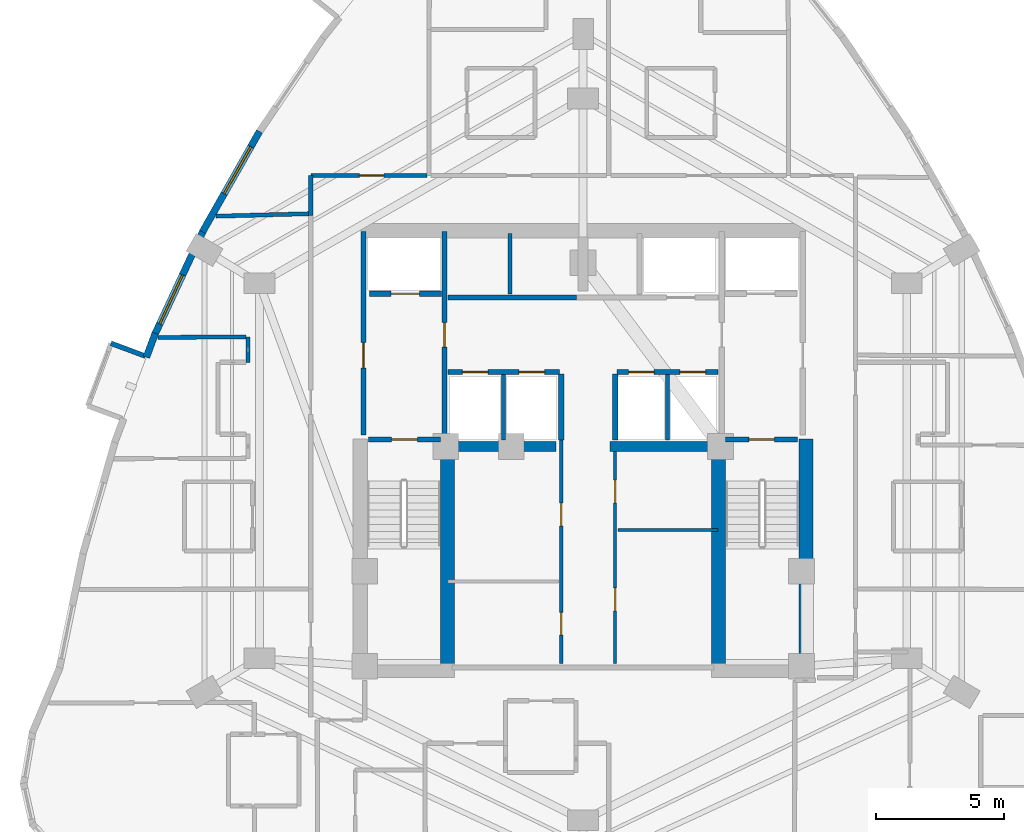
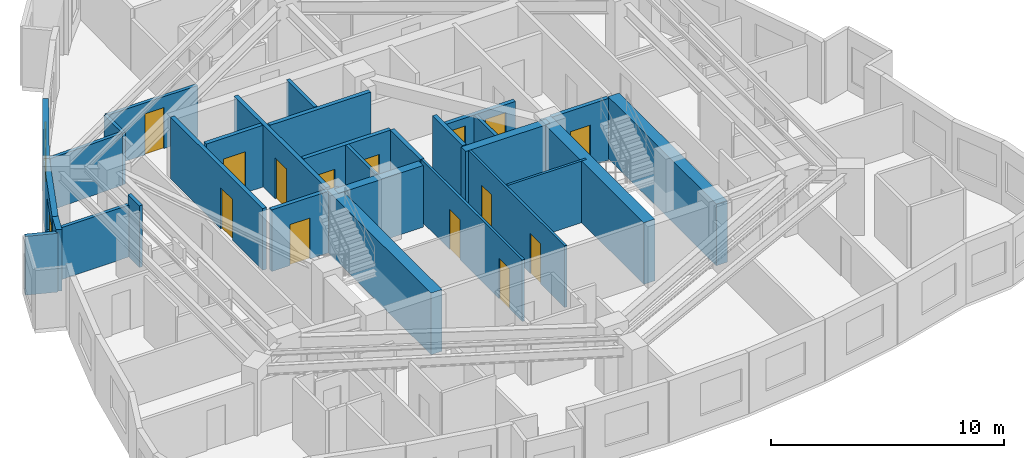
# One storey, part 10 of 14: 30 walls, 14 doors, 2 windows, 16 openings.
"""IFC4 building model written with IfcOpenShell, lengths in metres."""

from ifc_helpers import new_model, si_unit, direction, frame, frame_2d, origin, place, context, subcontext, project, spatial, rectangle, extrude, material, layer, layer_set, type_object, element, fill, save


model = new_model("IFC4")

# Units and contexts
model_context = context("Model", 3, precision=1e-05, world=origin(), true_north=direction((0.0, 1.0)))
body_context = subcontext(model_context, "Body", "Model", "MODEL_VIEW")
ifc_project = project(units=[si_unit("LENGTHUNIT", "METRE"), si_unit("AREAUNIT", "SQUARE_METRE"), si_unit("VOLUMEUNIT", "CUBIC_METRE"), si_unit("PLANEANGLEUNIT", "RADIAN"), si_unit("MASSUNIT", "GRAM", prefix="KILO")], contexts=[model_context])

# Site, building, storey
site_placement = place(None, origin())
site = spatial("IfcSite", under=ifc_project, at=site_placement, CompositionType="ELEMENT")
building_placement = place(site_placement, origin())
building = spatial("IfcBuilding", under=site, at=building_placement, Name="Miruveldt Soraemaru", CompositionType="ELEMENT")
storey_placement = place(building_placement, frame((0.0, 0.0, 131.89990234375)))
storey = spatial("IfcBuildingStorey", under=building, at=storey_placement, Name="L36", CompositionType="ELEMENT", Elevation=131.89990234375)

# Walls
ifc_material_1 = material(Name="White powder-coated aluminium EN AW-6060 T6", Category="aluminium")
ifc_layer_1 = layer(ifc_material_1, 0.18994140625, Name="White powder-coated aluminium EN AW-6060 T6", Category="aluminium")
ifc_layer_set_1 = layer_set([ifc_layer_1], Name="White powder-coated aluminium EN AW-6060 T6")
wall_type_1 = type_object("IfcWallType", Name="WALL-BAY-ALU190", PredefinedType="SOLIDWALL", material=ifc_layer_set_1)
wall_1_placement = place(storey_placement, frame((26.95556640625, 47.57373046875, 0.0), z_axis=(0.0, 0.0, 1.0), x_axis=(-0.937129361406, 0.348982177182, 0.0)))
element("IfcWall", 1, at=wall_1_placement, inside=storey, type_object=wall_type_1, Name="L36 Bay Window Side Cheek 2L", PredefinedType="SOLIDWALL", context=body_context, shape_type="SweptSolid", body=[
    extrude(rectangle(XDim=1.425048828125, YDim=0.18994140625, at=frame_2d((0.71240234375, 0.0))), origin(), (0.0, 0.0, 1.0), 3.085205078125),
])
ifc_material_2 = material(Name="Concrete C70/85 (70 MPa)", Category="concrete")
ifc_layer_2 = layer(ifc_material_2, 0.5, Name="Concrete C70/85 (70 MPa)", Category="concrete")
ifc_layer_set_2 = layer_set([ifc_layer_2], Name="Concrete C70/85 (70 MPa)")
wall_type_2 = type_object("IfcWallType", Name="WALL-BW-500", PredefinedType="SHEAR", material=ifc_layer_set_2)
for number, where, z_axis, x_axis, name in (
    (2, (38.75, 44.050048828125, 0.0), (0.0, 0.0, 1.0), (1.0, 0.0, 0.0), "L36 Core Buttress Shear Wall BW"),
    (3, (45.050048828125, 44.050048828125, 0.0), (0.0, 0.0, 1.0), (1.0, 0.0, 0.0), "L36 Core Buttress Shear Wall BE"),
):
    element("IfcWall", number, at=place(storey_placement, frame(where, z_axis=z_axis, x_axis=x_axis)), inside=storey, type_object=wall_type_2, Name=name, PredefinedType="SHEAR", context=body_context, shape_type="SweptSolid", body=[
        extrude(rectangle(XDim=4.199951171875, YDim=0.39990234375, at=frame_2d((2.10009765625, 0.0))), origin(), (0.0, 0.0, 1.0), 3.235107421875),
    ])
ifc_layer_3 = layer(ifc_material_2, 0.550048828125, Name="Concrete C70/85 (70 MPa)", Category="concrete")
ifc_layer_set_3 = layer_set([ifc_layer_3], Name="Concrete C70/85 (70 MPa)")
wall_type_3 = type_object("IfcWallType", Name="WALL-CW-550", PredefinedType="SHEAR", material=ifc_layer_set_3)
wall_2_placement = place(storey_placement, frame((52.675048828125, 35.050048828125, 0.0), z_axis=(0.0, 0.0, 1.0), x_axis=(0.0, 1.0, 0.0)))
element("IfcWall", 4, at=wall_2_placement, inside=storey, type_object=wall_type_3, Name="L36 Central Core Shear Wall E1", PredefinedType="SHEAR", context=body_context, shape_type="SweptSolid", body=[
    extrude(rectangle(XDim=9.300048828125, YDim=0.550048828125, at=frame_2d((4.64990234375, 0.0))), origin(), (0.0, 0.0, 1.0), 3.235107421875),
])
for number, where, z_axis, x_axis, name in (
    (5, (38.72509765625, 35.39990234375, 0.0), (0.0, 0.0, 1.0), (0.0, 1.0, 0.0), "L36 Central Core Shear Wall SW-INT"),
    (6, (49.27490234375, 35.39990234375, 0.0), (0.0, 0.0, 1.0), (0.0, 1.0, 0.0), "L36 Central Core Shear Wall SE-INT"),
):
    element("IfcWall", number, at=place(storey_placement, frame(where, z_axis=z_axis, x_axis=x_axis)), inside=storey, type_object=wall_type_3, Name=name, PredefinedType="SHEAR", context=body_context, shape_type="SweptSolid", body=[
        extrude(rectangle(XDim=8.9501953125, YDim=0.550048828125, at=frame_2d((4.47509765625, 0.0))), origin(), (0.0, 0.0, 1.0), 3.235107421875),
    ])

# Wall, opening, window
ifc_material_3 = material(Name="Precast concrete C45/55 (45 MPa)", Category="concrete")
ifc_layer_4 = layer(ifc_material_3, 0.27001953125, Name="Precast concrete C45/55 (45 MPa)", Category="concrete")
ifc_layer_set_4 = layer_set([ifc_layer_4], Name="Precast concrete C45/55 (45 MPa)")
wall_type_4 = type_object("IfcWallType", Name="WALL-EXT-PC270", PredefinedType="SOLIDWALL", material=ifc_layer_set_4)
wall_3_placement = place(storey_placement, frame((31.40380859375, 56.32177734375, 0.0), z_axis=(0.0, 0.0, 1.0), x_axis=(-0.493401387578, -0.869801742201, 0.0)))
wall_3 = element("IfcWall", 7, at=wall_3_placement, inside=storey, type_object=wall_type_4, Name="L36 Precast Concrete Facade Wall 10", PredefinedType="SOLIDWALL", context=body_context, shape_type="SweptSolid", body=[
    extrude(rectangle(XDim=4.498779296875, YDim=0.27001953125, at=frame_2d((2.24951171875, 0.0))), origin(), (0.0, 0.0, 1.0), 3.235107421875),
])
opening_1_placement = place(wall_3_placement, frame((0.68701171875, 0.0, 0.800048828125)))
opening_1 = element("IfcOpeningElement", 8, at=opening_1_placement, cuts=wall_3, Name="Opening WN-1", PredefinedType="OPENING", context=body_context, shape_type="SweptSolid", body=[
    extrude(rectangle(XDim=2.10009765625, YDim=1.699951171875, at=frame_2d((1.050048828125, 0.85009765625))), frame((0.0, 0.14501953125, 0.0), z_axis=(0.0, -1.0, 0.0), x_axis=(1.0, 0.0, 0.0)), (0.0, 0.0, 1.0), 0.2900390625),
])
ifc_material_4 = material(Name="Triple low-e insulated glazing", Category="glass")
window_type = type_object("IfcWindowType", Name="WIN-PUNCH-2100x1700", PartitioningType="SINGLE_PANEL", PredefinedType="WINDOW", material=ifc_material_4)
window_1_placement = place(opening_1_placement, origin())
window_1 = element("IfcWindow", 9, at=window_1_placement, inside=storey, type_object=window_type, Name="L36 Punched Triple-Glazed Window 10.1", OverallHeight=1.699951171875, OverallWidth=2.10009765625, PartitioningType="SINGLE_PANEL", PredefinedType="WINDOW", context=body_context, shape_type="SweptSolid", body=[
    extrude(rectangle(XDim=2.10009765625, YDim=1.699951171875, at=frame_2d((1.050048828125, 0.85009765625))), frame((0.0, 0.030029296875, 0.0), z_axis=(0.0, -1.0, 0.0), x_axis=(1.0, 0.0, 0.0)), (0.0, 0.0, 1.0), 0.06005859375),
])
fill(opening_1, window_1)

wall_4_placement = place(storey_placement, frame((29.21630859375, 52.470703125, 0.0), z_axis=(0.0, 0.0, 1.0), x_axis=(-0.422317939259, -0.90644776914, 0.0)))
wall_4 = element("IfcWall", 10, at=wall_4_placement, inside=storey, type_object=wall_type_4, Name="L36 Precast Concrete Facade Wall 11", PredefinedType="SOLIDWALL", context=body_context, shape_type="SweptSolid", body=[
    extrude(rectangle(XDim=4.498779296875, YDim=0.27001953125, at=frame_2d((2.24951171875, 0.0))), origin(), (0.0, 0.0, 1.0), 3.235107421875),
])
opening_2_placement = place(wall_4_placement, frame((1.9189453125, 0.0, 0.800048828125)))
opening_2 = element("IfcOpeningElement", 11, at=opening_2_placement, cuts=wall_4, Name="Opening WN-1", PredefinedType="OPENING", context=body_context, shape_type="SweptSolid", body=[
    extrude(rectangle(XDim=2.10009765625, YDim=1.699951171875, at=frame_2d((1.050048828125, 0.85009765625))), frame((0.0, 0.14501953125, 0.0), z_axis=(0.0, -1.0, 0.0), x_axis=(1.0, 0.0, 0.0)), (0.0, 0.0, 1.0), 0.2900390625),
])
window_2_placement = place(opening_2_placement, origin())
window_2 = element("IfcWindow", 12, at=window_2_placement, inside=storey, type_object=window_type, Name="L36 Punched Triple-Glazed Window 11.1", OverallHeight=1.699951171875, OverallWidth=2.10009765625, PartitioningType="SINGLE_PANEL", PredefinedType="WINDOW", context=body_context, shape_type="SweptSolid", body=[
    extrude(rectangle(XDim=2.10009765625, YDim=1.699951171875, at=frame_2d((1.050048828125, 0.85009765625))), frame((0.0, 0.030029296875, 0.0), z_axis=(0.0, -1.0, 0.0), x_axis=(1.0, 0.0, 0.0)), (0.0, 0.0, 1.0), 0.06005859375),
])
fill(opening_2, window_2)

# Wall
wall_5_placement = place(storey_placement, frame((27.343505859375, 48.45751953125, 0.0), z_axis=(0.0, 0.0, 1.0), x_axis=(-0.349130174938, -0.937074234492, 0.0)))
element("IfcWall", 13, at=wall_5_placement, inside=storey, type_object=wall_type_4, Name="L36 Precast Pier Wall 12A", PredefinedType="SOLIDWALL", context=body_context, shape_type="SweptSolid", body=[
    extrude(rectangle(XDim=0.99365234375, YDim=0.27001953125, at=frame_2d((0.496826171875, 0.0))), origin(), (0.0, 0.0, 1.0), 3.235107421875),
])

# Wall, openings, doors
ifc_material_5 = material(Name="Gypsum plasterboard lining", Category="gypsum")
ifc_layer_5 = layer(ifc_material_5, 0.1201171875, Name="Gypsum plasterboard lining", Category="gypsum")
ifc_layer_set_5 = layer_set([ifc_layer_5], Name="Gypsum plasterboard lining")
wall_type_5 = type_object("IfcWallType", Name="WALL-INT-P120", PredefinedType="PARTITIONING", material=ifc_layer_set_5)
wall_6_placement = place(storey_placement, frame((43.14990234375, 35.60009765625, 0.0), z_axis=(0.0, 0.0, 1.0), x_axis=(0.0, 1.0, 0.0)))
wall_6 = element("IfcWall", 14, at=wall_6_placement, inside=storey, type_object=wall_type_5, Name="L36 Core Compartment Wall SP-WL", PredefinedType="PARTITIONING", context=body_context, shape_type="SweptSolid", body=[
    extrude(rectangle(XDim=8.699951171875, YDim=0.1201171875, at=frame_2d((4.35009765625, 0.0))), origin(), (0.0, 0.0, 1.0), 3.235107421875),
])
opening_3_placement = place(wall_6_placement, frame((1.110107421875, 0.0, 0.0)))
opening_3 = element("IfcOpeningElement", 15, at=opening_3_placement, cuts=wall_6, Name="Opening D4", PredefinedType="OPENING", context=body_context, shape_type="SweptSolid", body=[
    extrude(rectangle(XDim=0.8798828125, YDim=2.10009765625, at=frame_2d((0.43994140625, 1.050048828125))), frame((0.0, 0.070068359375, 0.0), z_axis=(0.0, -1.0, 0.0), x_axis=(1.0, 0.0, 0.0)), (0.0, 0.0, 1.0), 0.14013671875),
])
opening_4_placement = place(wall_6_placement, frame((5.35009765625, 0.0, 0.0)))
opening_4 = element("IfcOpeningElement", 16, at=opening_4_placement, cuts=wall_6, Name="Opening D3", PredefinedType="OPENING", context=body_context, shape_type="SweptSolid", body=[
    extrude(rectangle(XDim=0.89990234375, YDim=2.10009765625, at=frame_2d((0.449951171875, 1.050048828125))), frame((0.0, 0.070068359375, 0.0), z_axis=(0.0, -1.0, 0.0), x_axis=(1.0, 0.0, 0.0)), (0.0, 0.0, 1.0), 0.14013671875),
])
ifc_material_6 = material(Name="Anodised aluminium EN AW-6063 T6", Category="aluminium")
door_type_1 = type_object("IfcDoorType", Name="DOOR-INT-880", OperationType="NOTDEFINED", PredefinedType="DOOR", material=ifc_material_6)
door_1_placement = place(opening_3_placement, origin())
door_1 = element("IfcDoor", 17, at=door_1_placement, inside=storey, type_object=door_type_1, Name="L36 Fire Door", OperationType="SINGLE_SWING_LEFT", OverallHeight=2.10009765625, OverallWidth=0.8798828125, PredefinedType="DOOR", context=body_context, shape_type="SweptSolid", body=[
    extrude(rectangle(XDim=0.8798828125, YDim=2.10009765625, at=frame_2d((0.43994140625, 1.050048828125))), frame((0.0, 0.02490234375, 0.0), z_axis=(0.0, -1.0, 0.0), x_axis=(1.0, 0.0, 0.0)), (0.0, 0.0, 1.0), 0.050048828125),
])
fill(opening_3, door_1)
door_type_2 = type_object("IfcDoorType", Name="DOOR-INT-900", OperationType="NOTDEFINED", PredefinedType="DOOR", material=ifc_material_6)
door_2_placement = place(opening_4_placement, origin())
door_2 = element("IfcDoor", 18, at=door_2_placement, inside=storey, type_object=door_type_2, Name="L36 Fire Door", OperationType="SINGLE_SWING_LEFT", OverallHeight=2.10009765625, OverallWidth=0.89990234375, PredefinedType="DOOR", context=body_context, shape_type="SweptSolid", body=[
    extrude(rectangle(XDim=0.89990234375, YDim=2.10009765625, at=frame_2d((0.449951171875, 1.050048828125))), frame((0.0, 0.02490234375, 0.0), z_axis=(0.0, -1.0, 0.0), x_axis=(1.0, 0.0, 0.0)), (0.0, 0.0, 1.0), 0.050048828125),
])
fill(opening_4, door_2)

wall_7_placement = place(storey_placement, frame((45.25, 35.60009765625, 0.0), z_axis=(0.0, 0.0, 1.0), x_axis=(0.0, 1.0, 0.0)))
wall_7 = element("IfcWall", 19, at=wall_7_placement, inside=storey, type_object=wall_type_5, Name="L36 Core Compartment Wall SP-EL", PredefinedType="PARTITIONING", context=body_context, shape_type="SweptSolid", body=[
    extrude(rectangle(XDim=8.25, YDim=0.1201171875, at=frame_2d((4.125, 0.0))), origin(), (0.0, 0.0, 1.0), 3.235107421875),
])
opening_5_placement = place(wall_7_placement, frame((2.050048828125, 0.0, 0.0)))
opening_5 = element("IfcOpeningElement", 20, at=opening_5_placement, cuts=wall_7, Name="Opening D3", PredefinedType="OPENING", context=body_context, shape_type="SweptSolid", body=[
    extrude(rectangle(XDim=0.89990234375, YDim=2.10009765625, at=frame_2d((0.449951171875, 1.050048828125))), frame((0.0, 0.070068359375, 0.0), z_axis=(0.0, -1.0, 0.0), x_axis=(1.0, 0.0, 0.0)), (0.0, 0.0, 1.0), 0.14013671875),
])
opening_6_placement = place(wall_7_placement, frame((6.260009765625, 0.0, 0.0)))
opening_6 = element("IfcOpeningElement", 21, at=opening_6_placement, cuts=wall_7, Name="Opening D4", PredefinedType="OPENING", context=body_context, shape_type="SweptSolid", body=[
    extrude(rectangle(XDim=0.8798828125, YDim=2.10009765625, at=frame_2d((0.43994140625, 1.050048828125))), frame((0.0, 0.070068359375, 0.0), z_axis=(0.0, -1.0, 0.0), x_axis=(1.0, 0.0, 0.0)), (0.0, 0.0, 1.0), 0.14013671875),
])
door_3_placement = place(opening_6_placement, origin())
door_3 = element("IfcDoor", 22, at=door_3_placement, inside=storey, type_object=door_type_1, Name="L36 Fire Door", OperationType="SINGLE_SWING_LEFT", OverallHeight=2.10009765625, OverallWidth=0.8798828125, PredefinedType="DOOR", context=body_context, shape_type="SweptSolid", body=[
    extrude(rectangle(XDim=0.8798828125, YDim=2.10009765625, at=frame_2d((0.43994140625, 1.050048828125))), frame((0.0, 0.02490234375, 0.0), z_axis=(0.0, -1.0, 0.0), x_axis=(1.0, 0.0, 0.0)), (0.0, 0.0, 1.0), 0.050048828125),
])
fill(opening_6, door_3)
door_4_placement = place(opening_5_placement, origin())
door_4 = element("IfcDoor", 23, at=door_4_placement, inside=storey, type_object=door_type_2, Name="L36 Fire Door", OperationType="SINGLE_SWING_LEFT", OverallHeight=2.10009765625, OverallWidth=0.89990234375, PredefinedType="DOOR", context=body_context, shape_type="SweptSolid", body=[
    extrude(rectangle(XDim=0.89990234375, YDim=2.10009765625, at=frame_2d((0.449951171875, 1.050048828125))), frame((0.0, 0.02490234375, 0.0), z_axis=(0.0, -1.0, 0.0), x_axis=(1.0, 0.0, 0.0)), (0.0, 0.0, 1.0), 0.050048828125),
])
fill(opening_5, door_4)

# Wall
wall_8_placement = place(storey_placement, frame((45.35009765625, 40.800048828125, 0.0), z_axis=(0.0, 0.0, 1.0), x_axis=(1.0, 0.0, 0.0)))
element("IfcWall", 24, at=wall_8_placement, inside=storey, type_object=wall_type_5, Name="L36 Core Compartment Wall RL-E2H", PredefinedType="PARTITIONING", context=body_context, shape_type="SweptSolid", body=[
    extrude(rectangle(XDim=3.89990234375, YDim=0.1201171875, at=frame_2d((1.949951171875, 0.0))), origin(), (0.0, 0.0, 1.0), 3.235107421875),
])

# Wall, opening, door
ifc_material_7 = material(Name="Concrete C40/50 (40 MPa)", Category="concrete")
ifc_layer_6 = layer(ifc_material_7, 0.159912109375, Name="Concrete C40/50 (40 MPa)", Category="concrete")
ifc_layer_set_6 = layer_set([ifc_layer_6], Name="Concrete C40/50 (40 MPa)")
wall_type_6 = type_object("IfcWallType", Name="WALL-INT-RC160", PredefinedType="SOLIDWALL", material=ifc_layer_set_6)
wall_9_placement = place(storey_placement, frame((37.9169921875, 54.60009765625, 0.0), z_axis=(0.0, 0.0, 1.0), x_axis=(-1.0, 0.0, 0.0)))
wall_9 = element("IfcWall", 25, at=wall_9_placement, inside=storey, type_object=wall_type_6, Name="L36 Partition Wall 1", PredefinedType="SOLIDWALL", context=body_context, shape_type="SweptSolid", body=[
    extrude(rectangle(XDim=4.51708984375, YDim=0.159912109375, at=frame_2d((2.258544921875, 0.0))), origin(), (0.0, 0.0, 1.0), 2.72314453125),
])
opening_7_placement = place(wall_9_placement, frame((1.674072265625, 0.0, 0.0)))
opening_7 = element("IfcOpeningElement", 26, at=opening_7_placement, cuts=wall_9, Name="Opening FD2", PredefinedType="OPENING", context=body_context, shape_type="SweptSolid", body=[
    extrude(rectangle(XDim=0.949951171875, YDim=2.14990234375, at=frame_2d((0.47509765625, 1.074951171875))), frame((0.0, 0.08984375, 0.0), z_axis=(0.0, -1.0, 0.0), x_axis=(1.0, 0.0, 0.0)), (0.0, 0.0, 1.0), 0.179931640625),
])
door_type_3 = type_object("IfcDoorType", Name="DOOR-FD2-950", OperationType="NOTDEFINED", PredefinedType="DOOR", material=ifc_material_6)
door_5_placement = place(opening_7_placement, origin())
door_5 = element("IfcDoor", 27, at=door_5_placement, inside=storey, type_object=door_type_3, Name="L36 Unit CL01 Entrance Fire Door", OperationType="SINGLE_SWING_LEFT", OverallHeight=2.14990234375, OverallWidth=0.949951171875, PredefinedType="DOOR", context=body_context, shape_type="SweptSolid", body=[
    extrude(rectangle(XDim=0.949951171875, YDim=2.14990234375, at=frame_2d((0.47509765625, 1.074951171875))), frame((0.0, 0.02490234375, 0.0), z_axis=(0.0, -1.0, 0.0), x_axis=(1.0, 0.0, 0.0)), (0.0, 0.0, 1.0), 0.050048828125),
])
fill(opening_7, door_5)

# Walls
wall_10_placement = place(storey_placement, frame((29.701904296875, 53.01708984375, 0.0), z_axis=(0.0, 0.0, 1.0), x_axis=(0.999649675951, 0.026467439844, 0.0)))
element("IfcWall", 28, at=wall_10_placement, inside=storey, type_object=wall_type_6, Name="L36 Partition Wall 16", PredefinedType="SOLIDWALL", context=body_context, shape_type="SweptSolid", body=[
    extrude(rectangle(XDim=3.63427734375, YDim=0.159912109375, at=frame_2d((1.817138671875, 0.0))), origin(), (0.0, 0.0, 1.0), 2.72314453125),
])
wall_11_placement = place(storey_placement, frame((27.444091796875, 48.297119140625, 0.0), z_axis=(0.0, 0.0, 1.0), x_axis=(0.999977565828, 0.006698346126, 0.0)))
element("IfcWall", 29, at=wall_11_placement, inside=storey, type_object=wall_type_6, Name="L36 Partition Wall 42", PredefinedType="SOLIDWALL", context=body_context, shape_type="SweptSolid", body=[
    extrude(rectangle(XDim=3.426025390625, YDim=0.159912109375, at=frame_2d((1.712890625, 0.0))), origin(), (0.0, 0.0, 1.0), 2.72314453125),
])
wall_12_placement = place(storey_placement, frame((40.89990234375, 44.300048828125, 0.0), z_axis=(0.0, 0.0, 1.0), x_axis=(0.0, 1.0, 0.0)))
element("IfcWall", 30, at=wall_12_placement, inside=storey, type_object=wall_type_6, Name="L36 Core Compartment Wall PLM-DW", PredefinedType="SOLIDWALL", context=body_context, shape_type="SweptSolid", body=[
    extrude(rectangle(XDim=2.550048828125, YDim=0.159912109375, at=frame_2d((1.27490234375, 0.0))), origin(), (0.0, 0.0, 1.0), 3.235107421875),
])
wall_13_placement = place(storey_placement, frame((47.280029296875, 44.300048828125, 0.0), z_axis=(0.0, 0.0, 1.0), x_axis=(0.0, 1.0, 0.0)))
element("IfcWall", 31, at=wall_13_placement, inside=storey, type_object=wall_type_6, Name="L36 Core Compartment Wall PLM-DE", PredefinedType="SOLIDWALL", context=body_context, shape_type="SweptSolid", body=[
    extrude(rectangle(XDim=2.550048828125, YDim=0.159912109375, at=frame_2d((1.27490234375, 0.0))), origin(), (0.0, 0.0, 1.0), 2.572998046875),
])
wall_14_placement = place(storey_placement, frame((41.14990234375, 49.97998046875, 0.0), z_axis=(0.0, 0.0, 1.0), x_axis=(0.0, 1.0, 0.0)))
element("IfcWall", 32, at=wall_14_placement, inside=storey, type_object=wall_type_6, Name="L36 Core Compartment Wall PLH-DIV1", PredefinedType="SOLIDWALL", context=body_context, shape_type="SweptSolid", body=[
    extrude(rectangle(XDim=2.3701171875, YDim=0.159912109375, at=frame_2d((1.18505859375, 0.0))), origin(), (0.0, 0.0, 1.0), 3.235107421875),
])
wall_15_placement = place(storey_placement, frame((33.39990234375, 54.60009765625, 0.0), z_axis=(0.0, 0.0, 1.0), x_axis=(0.0, -1.0, 0.0)))
element("IfcWall", 33, at=wall_15_placement, inside=storey, type_object=wall_type_6, Name="L36 Partition Wall 2", PredefinedType="SOLIDWALL", context=body_context, shape_type="SweptSolid", body=[
    extrude(rectangle(XDim=1.547119140625, YDim=0.159912109375, at=frame_2d((0.7734375, 0.0))), origin(), (0.0, 0.0, 1.0), 2.72314453125),
])
wall_16_placement = place(storey_placement, frame((30.949951171875, 48.321044921875, 0.0), z_axis=(0.0, 0.0, 1.0), x_axis=(0.0, -1.0, 0.0)))
element("IfcWall", 34, at=wall_16_placement, inside=storey, type_object=wall_type_6, Name="L36 Partition Wall 43", PredefinedType="SOLIDWALL", context=body_context, shape_type="SweptSolid", body=[
    extrude(rectangle(XDim=0.990966796875, YDim=0.159912109375, at=frame_2d((0.49560546875, 0.0))), origin(), (0.0, 0.0, 1.0), 3.235107421875),
])

# Wall, opening, door
ifc_layer_7 = layer(ifc_material_7, 0.199951171875, Name="Concrete C40/50 (40 MPa)", Category="concrete")
ifc_layer_set_7 = layer_set([ifc_layer_7], Name="Concrete C40/50 (40 MPa)")
wall_type_7 = type_object("IfcWallType", Name="WALL-INT-RC200", PredefinedType="SOLIDWALL", material=ifc_layer_set_7)
wall_17_placement = place(storey_placement, frame((35.449951171875, 44.5, 0.0), z_axis=(0.0, 0.0, 1.0), x_axis=(0.0, 1.0, 0.0)))
wall_17 = element("IfcWall", 35, at=wall_17_placement, inside=storey, type_object=wall_type_7, Name="L36 Core Compartment Wall FFW-OUT", PredefinedType="SOLIDWALL", context=body_context, shape_type="SweptSolid", body=[
    extrude(rectangle(XDim=7.919921875, YDim=0.199951171875, at=frame_2d((3.9599609375, 0.0))), origin(), (0.0, 0.0, 1.0), 3.235107421875),
])
opening_8_placement = place(wall_17_placement, frame((2.60009765625, 0.0, 0.0)))
opening_8 = element("IfcOpeningElement", 36, at=opening_8_placement, cuts=wall_17, Name="Opening FD1", PredefinedType="OPENING", context=body_context, shape_type="SweptSolid", body=[
    extrude(rectangle(XDim=1.0, YDim=2.14990234375, at=frame_2d((0.5, 1.074951171875))), frame((0.0, 0.10986328125, 0.0), z_axis=(0.0, -1.0, 0.0), x_axis=(1.0, 0.0, 0.0)), (0.0, 0.0, 1.0), 0.219970703125),
])
door_type_4 = type_object("IfcDoorType", Name="DOOR-FD1-1000", OperationType="NOTDEFINED", PredefinedType="DOOR", material=ifc_material_6)
door_6_placement = place(opening_8_placement, origin())
door_6 = element("IfcDoor", 37, at=door_6_placement, inside=storey, type_object=door_type_4, Name="L36 West Firefighting Lobby Exit Door", OperationType="SINGLE_SWING_LEFT", OverallHeight=2.14990234375, OverallWidth=1.0, PredefinedType="DOOR", context=body_context, shape_type="SweptSolid", body=[
    extrude(rectangle(XDim=1.0, YDim=2.14990234375, at=frame_2d((0.5, 1.074951171875))), frame((0.0, 0.02490234375, 0.0), z_axis=(0.0, -1.0, 0.0), x_axis=(1.0, 0.0, 0.0)), (0.0, 0.0, 1.0), 0.050048828125),
])
fill(opening_8, door_6)

wall_18_placement = place(storey_placement, frame((38.60009765625, 44.5, 0.0), z_axis=(0.0, 0.0, 1.0), x_axis=(0.0, 1.0, 0.0)))
wall_18 = element("IfcWall", 38, at=wall_18_placement, inside=storey, type_object=wall_type_7, Name="L36 Core Compartment Wall FFW-IN", PredefinedType="SOLIDWALL", context=body_context, shape_type="SweptSolid", body=[
    extrude(rectangle(XDim=7.919921875, YDim=0.199951171875, at=frame_2d((3.9599609375, 0.0))), origin(), (0.0, 0.0, 1.0), 3.235107421875),
])
opening_9_placement = place(wall_18_placement, frame((3.425048828125, 0.0, 0.0)))
opening_9 = element("IfcOpeningElement", 39, at=opening_9_placement, cuts=wall_18, Name="Opening FD2", PredefinedType="OPENING", context=body_context, shape_type="SweptSolid", body=[
    extrude(rectangle(XDim=0.949951171875, YDim=2.14990234375, at=frame_2d((0.47509765625, 1.074951171875))), frame((0.0, 0.10986328125, 0.0), z_axis=(0.0, -1.0, 0.0), x_axis=(1.0, 0.0, 0.0)), (0.0, 0.0, 1.0), 0.219970703125),
])
door_7_placement = place(opening_9_placement, frame((0.949951171875, 0.0, 0.0), z_axis=(0.0, 0.0, 1.0), x_axis=(-1.0, 0.0, 0.0)))
door_7 = element("IfcDoor", 40, at=door_7_placement, inside=storey, type_object=door_type_3, Name="L36 Lift Lobby to West Fire Lobby Door", OperationType="SINGLE_SWING_RIGHT", OverallHeight=2.14990234375, OverallWidth=0.949951171875, PredefinedType="DOOR", context=body_context, shape_type="SweptSolid", body=[
    extrude(rectangle(XDim=0.949951171875, YDim=2.14990234375, at=frame_2d((0.47509765625, 1.074951171875))), frame((0.0, 0.02490234375, 0.0), z_axis=(0.0, -1.0, 0.0), x_axis=(1.0, 0.0, 0.0)), (0.0, 0.0, 1.0), 0.050048828125),
])
fill(opening_9, door_7)

# Wall, openings, doors
wall_19_placement = place(storey_placement, frame((38.75, 46.949951171875, 0.0), z_axis=(0.0, 0.0, 1.0), x_axis=(1.0, 0.0, 0.0)))
wall_19 = element("IfcWall", 41, at=wall_19_placement, inside=storey, type_object=wall_type_7, Name="L36 Core Compartment Wall MBW-N", PredefinedType="SOLIDWALL", context=body_context, shape_type="SweptSolid", body=[
    extrude(rectangle(XDim=4.330078125, YDim=0.199951171875, at=frame_2d((2.1650390625, 0.0))), origin(), (0.0, 0.0, 1.0), 3.235107421875),
])
opening_10_placement = place(wall_19_placement, frame((0.550048828125, 0.0, 0.0)))
opening_10 = element("IfcOpeningElement", 42, at=opening_10_placement, cuts=wall_19, Name="Opening LD1B", PredefinedType="OPENING", context=body_context, shape_type="SweptSolid", body=[
    extrude(rectangle(XDim=1.0, YDim=2.14990234375, at=frame_2d((0.5, 1.074951171875))), frame((0.0, 0.10986328125, 0.0), z_axis=(0.0, -1.0, 0.0), x_axis=(1.0, 0.0, 0.0)), (0.0, 0.0, 1.0), 0.219970703125),
])
opening_11_placement = place(wall_19_placement, frame((2.75, 0.0, 0.0)))
opening_11 = element("IfcOpeningElement", 43, at=opening_11_placement, cuts=wall_19, Name="Opening LD1B", PredefinedType="OPENING", context=body_context, shape_type="SweptSolid", body=[
    extrude(rectangle(XDim=1.0, YDim=2.14990234375, at=frame_2d((0.5, 1.074951171875))), frame((0.0, 0.10986328125, 0.0), z_axis=(0.0, -1.0, 0.0), x_axis=(1.0, 0.0, 0.0)), (0.0, 0.0, 1.0), 0.219970703125),
])
door_type_5 = type_object("IfcDoorType", Name="DOOR-LD1-1000", OperationType="SLIDING_TO_LEFT", PredefinedType="DOOR", material=ifc_material_6)
door_8_placement = place(opening_10_placement, origin())
door_8 = element("IfcDoor", 44, at=door_8_placement, inside=storey, type_object=door_type_5, Name="L36 PL-M1 Landing Door", OperationType="SLIDING_TO_LEFT", OverallHeight=2.14990234375, OverallWidth=1.0, PredefinedType="DOOR", context=body_context, shape_type="SweptSolid", body=[
    extrude(rectangle(XDim=1.0, YDim=2.14990234375, at=frame_2d((0.5, 1.074951171875))), frame((0.0, 0.02490234375, 0.0), z_axis=(0.0, -1.0, 0.0), x_axis=(1.0, 0.0, 0.0)), (0.0, 0.0, 1.0), 0.050048828125),
])
fill(opening_10, door_8)
door_9_placement = place(opening_11_placement, origin())
door_9 = element("IfcDoor", 45, at=door_9_placement, inside=storey, type_object=door_type_5, Name="L36 PL-M2 Landing Door", OperationType="SLIDING_TO_LEFT", OverallHeight=2.14990234375, OverallWidth=1.0, PredefinedType="DOOR", context=body_context, shape_type="SweptSolid", body=[
    extrude(rectangle(XDim=1.0, YDim=2.14990234375, at=frame_2d((0.5, 1.074951171875))), frame((0.0, 0.02490234375, 0.0), z_axis=(0.0, -1.0, 0.0), x_axis=(1.0, 0.0, 0.0)), (0.0, 0.0, 1.0), 0.050048828125),
])
fill(opening_11, door_9)

wall_20_placement = place(storey_placement, frame((45.320068359375, 46.949951171875, 0.0), z_axis=(0.0, 0.0, 1.0), x_axis=(1.0, 0.0, 0.0)))
wall_20 = element("IfcWall", 46, at=wall_20_placement, inside=storey, type_object=wall_type_7, Name="L36 Core Compartment Wall MBE-N", PredefinedType="SOLIDWALL", context=body_context, shape_type="SweptSolid", body=[
    extrude(rectangle(XDim=3.929931640625, YDim=0.199951171875, at=frame_2d((1.96484375, 0.0))), origin(), (0.0, 0.0, 1.0), 2.572998046875),
])
opening_12_placement = place(wall_20_placement, frame((0.449951171875, 0.0, 0.0)))
opening_12 = element("IfcOpeningElement", 47, at=opening_12_placement, cuts=wall_20, Name="Opening LD1B", PredefinedType="OPENING", context=body_context, shape_type="SweptSolid", body=[
    extrude(rectangle(XDim=1.0, YDim=2.14990234375, at=frame_2d((0.5, 1.074951171875))), frame((0.0, 0.10986328125, 0.0), z_axis=(0.0, -1.0, 0.0), x_axis=(1.0, 0.0, 0.0)), (0.0, 0.0, 1.0), 0.219970703125),
])
opening_13_placement = place(wall_20_placement, frame((2.449951171875, 0.0, 0.0)))
opening_13 = element("IfcOpeningElement", 48, at=opening_13_placement, cuts=wall_20, Name="Opening LD1B", PredefinedType="OPENING", context=body_context, shape_type="SweptSolid", body=[
    extrude(rectangle(XDim=1.0, YDim=2.14990234375, at=frame_2d((0.5, 1.074951171875))), frame((0.0, 0.10986328125, 0.0), z_axis=(0.0, -1.0, 0.0), x_axis=(1.0, 0.0, 0.0)), (0.0, 0.0, 1.0), 0.219970703125),
])
door_10_placement = place(opening_12_placement, origin())
door_10 = element("IfcDoor", 49, at=door_10_placement, inside=storey, type_object=door_type_5, Name="L36 PL-M3 Landing Door", OperationType="SLIDING_TO_LEFT", OverallHeight=2.14990234375, OverallWidth=1.0, PredefinedType="DOOR", context=body_context, shape_type="SweptSolid", body=[
    extrude(rectangle(XDim=1.0, YDim=2.14990234375, at=frame_2d((0.5, 1.074951171875))), frame((0.0, 0.02490234375, 0.0), z_axis=(0.0, -1.0, 0.0), x_axis=(1.0, 0.0, 0.0)), (0.0, 0.0, 1.0), 0.050048828125),
])
fill(opening_12, door_10)
door_11_placement = place(opening_13_placement, origin())
door_11 = element("IfcDoor", 50, at=door_11_placement, inside=storey, type_object=door_type_5, Name="L36 PL-M4 Landing Door", OperationType="SLIDING_TO_LEFT", OverallHeight=2.14990234375, OverallWidth=1.0, PredefinedType="DOOR", context=body_context, shape_type="SweptSolid", body=[
    extrude(rectangle(XDim=1.0, YDim=2.14990234375, at=frame_2d((0.5, 1.074951171875))), frame((0.0, 0.02490234375, 0.0), z_axis=(0.0, -1.0, 0.0), x_axis=(1.0, 0.0, 0.0)), (0.0, 0.0, 1.0), 0.050048828125),
])
fill(opening_13, door_11)

# Wall, opening, door
wall_21_placement = place(storey_placement, frame((35.64990234375, 44.320068359375, 0.0), z_axis=(0.0, 0.0, 1.0), x_axis=(1.0, 0.0, 0.0)))
wall_21 = element("IfcWall", 51, at=wall_21_placement, inside=storey, type_object=wall_type_7, Name="L36 Core Compartment Wall ST1-N", PredefinedType="SOLIDWALL", context=body_context, shape_type="SweptSolid", body=[
    extrude(rectangle(XDim=2.800048828125, YDim=0.199951171875, at=frame_2d((1.39990234375, 0.0))), origin(), (0.0, 0.0, 1.0), 3.235107421875),
])
opening_14_placement = place(wall_21_placement, frame((0.89990234375, 0.0, 0.0)))
opening_14 = element("IfcOpeningElement", 52, at=opening_14_placement, cuts=wall_21, Name="Opening FD1", PredefinedType="OPENING", context=body_context, shape_type="SweptSolid", body=[
    extrude(rectangle(XDim=1.0, YDim=2.14990234375, at=frame_2d((0.5, 1.074951171875))), frame((0.0, 0.10986328125, 0.0), z_axis=(0.0, -1.0, 0.0), x_axis=(1.0, 0.0, 0.0)), (0.0, 0.0, 1.0), 0.219970703125),
])
door_12_placement = place(opening_14_placement, frame((1.0, 0.0, 0.0), z_axis=(0.0, 0.0, 1.0), x_axis=(-1.0, 0.0, 0.0)))
door_12 = element("IfcDoor", 53, at=door_12_placement, inside=storey, type_object=door_type_4, Name="L36 Stair ST-1 Fire Door", OperationType="SINGLE_SWING_LEFT", OverallHeight=2.14990234375, OverallWidth=1.0, PredefinedType="DOOR", context=body_context, shape_type="SweptSolid", body=[
    extrude(rectangle(XDim=1.0, YDim=2.14990234375, at=frame_2d((0.5, 1.074951171875))), frame((0.0, 0.02490234375, 0.0), z_axis=(0.0, -1.0, 0.0), x_axis=(1.0, 0.0, 0.0)), (0.0, 0.0, 1.0), 0.050048828125),
])
fill(opening_14, door_12)

wall_22_placement = place(storey_placement, frame((49.550048828125, 44.320068359375, 0.0), z_axis=(0.0, 0.0, 1.0), x_axis=(1.0, 0.0, 0.0)))
wall_22 = element("IfcWall", 54, at=wall_22_placement, inside=storey, type_object=wall_type_7, Name="L36 Core Compartment Wall ST2-N", PredefinedType="SOLIDWALL", context=body_context, shape_type="SweptSolid", body=[
    extrude(rectangle(XDim=2.800048828125, YDim=0.199951171875, at=frame_2d((1.39990234375, 0.0))), origin(), (0.0, 0.0, 1.0), 3.235107421875),
])
opening_15_placement = place(wall_22_placement, frame((0.89990234375, 0.0, 0.0)))
opening_15 = element("IfcOpeningElement", 55, at=opening_15_placement, cuts=wall_22, Name="Opening FD1", PredefinedType="OPENING", context=body_context, shape_type="SweptSolid", body=[
    extrude(rectangle(XDim=1.0, YDim=2.14990234375, at=frame_2d((0.5, 1.074951171875))), frame((0.0, 0.10986328125, 0.0), z_axis=(0.0, -1.0, 0.0), x_axis=(1.0, 0.0, 0.0)), (0.0, 0.0, 1.0), 0.219970703125),
])
door_13_placement = place(opening_15_placement, frame((1.0, 0.0, 0.0), z_axis=(0.0, 0.0, 1.0), x_axis=(-1.0, 0.0, 0.0)))
door_13 = element("IfcDoor", 56, at=door_13_placement, inside=storey, type_object=door_type_4, Name="L36 Stair ST-2 Fire Door", OperationType="SINGLE_SWING_RIGHT", OverallHeight=2.14990234375, OverallWidth=1.0, PredefinedType="DOOR", context=body_context, shape_type="SweptSolid", body=[
    extrude(rectangle(XDim=1.0, YDim=2.14990234375, at=frame_2d((0.5, 1.074951171875))), frame((0.0, 0.02490234375, 0.0), z_axis=(0.0, -1.0, 0.0), x_axis=(1.0, 0.0, 0.0)), (0.0, 0.0, 1.0), 0.050048828125),
])
fill(opening_15, door_13)

wall_23_placement = place(storey_placement, frame((35.679931640625, 50.0, 0.0), z_axis=(0.0, 0.0, 1.0), x_axis=(1.0, 0.0, 0.0)))
wall_23 = element("IfcWall", 57, at=wall_23_placement, inside=storey, type_object=wall_type_7, Name="L36 Core Compartment Wall FFL1-S", PredefinedType="SOLIDWALL", context=body_context, shape_type="SweptSolid", body=[
    extrude(rectangle(XDim=2.800048828125, YDim=0.199951171875, at=frame_2d((1.39990234375, 0.0))), origin(), (0.0, 0.0, 1.0), 3.235107421875),
])
opening_16_placement = place(wall_23_placement, frame((0.85009765625, 0.0, 0.0)))
opening_16 = element("IfcOpeningElement", 58, at=opening_16_placement, cuts=wall_23, Name="Opening LD2", PredefinedType="OPENING", context=body_context, shape_type="SweptSolid", body=[
    extrude(rectangle(XDim=1.10009765625, YDim=2.14990234375, at=frame_2d((0.550048828125, 1.074951171875))), frame((0.0, 0.10986328125, 0.0), z_axis=(0.0, -1.0, 0.0), x_axis=(1.0, 0.0, 0.0)), (0.0, 0.0, 1.0), 0.219970703125),
])
door_type_6 = type_object("IfcDoorType", Name="DOOR-LD2-1100", OperationType="SLIDING_TO_LEFT", PredefinedType="DOOR", material=ifc_material_6)
door_14_placement = place(opening_16_placement, origin())
door_14 = element("IfcDoor", 59, at=door_14_placement, inside=storey, type_object=door_type_6, Name="L36 FFL-1 Landing Door", OperationType="SLIDING_TO_LEFT", OverallHeight=2.14990234375, OverallWidth=1.10009765625, PredefinedType="DOOR", context=body_context, shape_type="SweptSolid", body=[
    extrude(rectangle(XDim=1.10009765625, YDim=2.14990234375, at=frame_2d((0.550048828125, 1.074951171875))), frame((0.0, 0.02490234375, 0.0), z_axis=(0.0, -1.0, 0.0), x_axis=(1.0, 0.0, 0.0)), (0.0, 0.0, 1.0), 0.050048828125),
])
fill(opening_16, door_14)

# Walls
wall_24_placement = place(storey_placement, frame((38.75, 49.85009765625, 0.0), z_axis=(0.0, 0.0, 1.0), x_axis=(1.0, 0.0, 0.0)))
element("IfcWall", 60, at=wall_24_placement, inside=storey, type_object=wall_type_7, Name="L36 Core Compartment Wall ROWA-SW", PredefinedType="SOLIDWALL", context=body_context, shape_type="SweptSolid", body=[
    extrude(rectangle(XDim=5.0, YDim=0.199951171875, at=frame_2d((2.5, 0.0))), origin(), (0.0, 0.0, 1.0), 3.235107421875),
])
for number, where, z_axis, x_axis, name in (
    (61, (43.14990234375, 44.300048828125, 0.0), (0.0, 0.0, 1.0), (0.0, 1.0, 0.0), "L36 Core Compartment Wall SP-WB"),
    (62, (45.25, 44.300048828125, 0.0), (0.0, 0.0, 1.0), (0.0, 1.0, 0.0), "L36 Core Compartment Wall SP-EB"),
):
    element("IfcWall", number, at=place(storey_placement, frame(where, z_axis=z_axis, x_axis=x_axis)), inside=storey, type_object=wall_type_7, Name=name, PredefinedType="SOLIDWALL", context=body_context, shape_type="SweptSolid", body=[
        extrude(rectangle(XDim=2.579833984375, YDim=0.199951171875, at=frame_2d((1.2900390625, 0.0))), origin(), (0.0, 0.0, 1.0), 3.235107421875),
    ])

save(model, "model.ifc")
